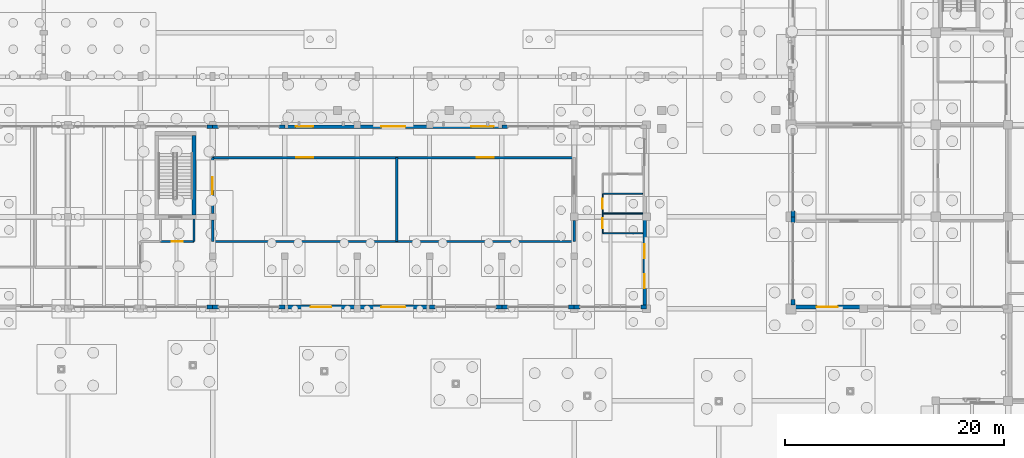
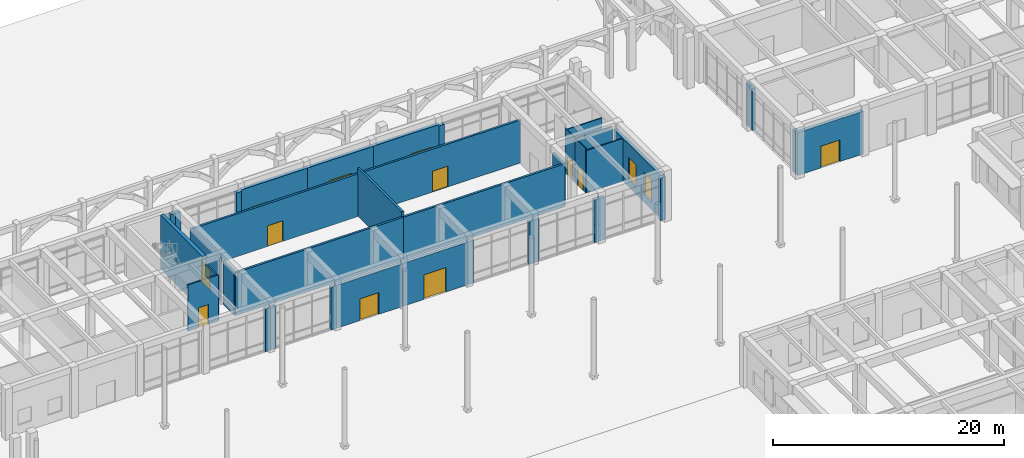
# One storey, part 57 of 82: 39 walls, 10 doors, 4 windows, 14 openings.
"""IFC4 building model written with IfcOpenShell, lengths in metres."""

from ifc_helpers import new_model, si_unit, direction, frame, frame_2d, origin, place, context, subcontext, project, spatial, rectangle, extrude, material, layer, layer_set, type_object, element, fill, save


model = new_model("IFC4")

# Units and contexts
model_context = context("Model", 3, precision=1e-05, world=origin(), true_north=direction((0.0, 1.0)))
body_context = subcontext(model_context, "Body", "Model", "MODEL_VIEW")
ifc_project = project(units=[si_unit("LENGTHUNIT", "METRE"), si_unit("AREAUNIT", "SQUARE_METRE"), si_unit("VOLUMEUNIT", "CUBIC_METRE"), si_unit("PLANEANGLEUNIT", "RADIAN"), si_unit("MASSUNIT", "GRAM", prefix="KILO")], contexts=[model_context])

# Site, building, storey
site_placement = place(None, origin())
site = spatial("IfcSite", under=ifc_project, at=site_placement, CompositionType="ELEMENT")
building_placement = place(site_placement, origin())
building = spatial("IfcBuilding", under=site, at=building_placement, Name="Kolvaren Faculty of Natural Sciences", CompositionType="ELEMENT")
storey_placement = place(building_placement, origin())
storey = spatial("IfcBuildingStorey", under=building, at=storey_placement, Name="L00", CompositionType="ELEMENT", Elevation=0.0)

# Wall, opening, door
ifc_material_1 = material(Name="Autoclaved aerated fire-rated masonry blockwork", Category="masonry")
ifc_layer_1 = layer(ifc_material_1, 0.2099609375)
ifc_layer_set_1 = layer_set([ifc_layer_1], Name="Autoclaved aerated fire-rated masonry blockwork")
wall_type_1 = type_object("IfcWallType", Name="AcousticLectureWall_210", PredefinedType="PARTITIONING", material=ifc_layer_set_1)
wall_1_placement = place(storey_placement, frame((66.199951171875, 81.199951171875, 0.0), z_axis=(0.0, 0.0, 1.0), x_axis=(1.0, 0.0, 0.0)))
wall_1 = element("IfcWall", 1, at=wall_1_placement, inside=storey, type_object=wall_type_1, Name="L00 interior partition PW-210", PredefinedType="PARTITIONING", context=body_context, shape_type="SweptSolid", body=[
    extrude(rectangle(XDim=16.800048828125, YDim=0.2099609375, at=frame_2d((8.39990234375, 0.0))), origin(), (0.0, 0.0, 1.0), 4.534912109375),
])
opening_1_placement = place(wall_1_placement, frame((7.625, 0.0, 0.0)))
opening_1 = element("IfcOpeningElement", 2, at=opening_1_placement, cuts=wall_1, Name="Opening FD30-D", PredefinedType="OPENING", context=body_context, shape_type="SweptSolid", body=[
    extrude(rectangle(XDim=1.550048828125, YDim=2.199951171875, at=frame_2d((0.77490234375, 1.10009765625))), frame((0.0, 0.114990234375, 0.0), z_axis=(0.0, -1.0, 0.0), x_axis=(1.0, 0.0, 0.0)), (0.0, 0.0, 1.0), 0.22998046875),
])
ifc_material_2 = material(Name="Fire-rated solid-core hardwood door leaf in steel frame", Category="steel")
door_type_1 = type_object("IfcDoorType", Name="AssemblyDoubleFireDoor_1550x2200", OperationType="DOUBLE_DOOR_SINGLE_SWING", PredefinedType="DOOR", material=ifc_material_2)
door_1_placement = place(opening_1_placement, origin())
door_1 = element("IfcDoor", 3, at=door_1_placement, inside=storey, type_object=door_type_1, Name="D-L00-0047", OperationType="DOUBLE_DOOR_SINGLE_SWING", OverallHeight=2.199951171875, OverallWidth=1.550048828125, PredefinedType="DOOR", context=body_context, shape_type="SweptSolid", body=[
    extrude(rectangle(XDim=1.550048828125, YDim=2.199951171875, at=frame_2d((0.77490234375, 1.10009765625))), frame((0.0, 0.02490234375, 0.0), z_axis=(0.0, -1.0, 0.0), x_axis=(1.0, 0.0, 0.0)), (0.0, 0.0, 1.0), 0.050048828125),
])
fill(opening_1, door_1)

# Walls
wall_2_placement = place(storey_placement, frame((83.0, 81.199951171875, 0.0), z_axis=(0.0, 0.0, 1.0), x_axis=(0.0, -1.0, 0.0)))
element("IfcWall", 4, at=wall_2_placement, inside=storey, type_object=wall_type_1, Name="L00 interior partition PW-210", PredefinedType="PARTITIONING", context=body_context, shape_type="SweptSolid", body=[
    extrude(rectangle(XDim=7.64990234375, YDim=0.2099609375, at=frame_2d((3.824951171875, 0.0))), origin(), (0.0, 0.0, 1.0), 5.094970703125),
])
wall_3_placement = place(storey_placement, frame((83.0, 73.550048828125, 0.0), z_axis=(0.0, 0.0, 1.0), x_axis=(-1.0, 0.0, 0.0)))
element("IfcWall", 5, at=wall_3_placement, inside=storey, type_object=wall_type_1, Name="L00 interior partition PW-210", PredefinedType="PARTITIONING", context=body_context, shape_type="SweptSolid", body=[
    extrude(rectangle(XDim=16.800048828125, YDim=0.2099609375, at=frame_2d((8.39990234375, 0.0))), origin(), (0.0, 0.0, 1.0), 4.534912109375),
])
wall_4_placement = place(storey_placement, frame((66.199951171875, 73.550048828125, 0.0), z_axis=(0.0, 0.0, 1.0), x_axis=(0.0, 1.0, 0.0)))
element("IfcWall", 6, at=wall_4_placement, inside=storey, type_object=wall_type_1, Name="L00 interior partition PW-210", PredefinedType="PARTITIONING", context=body_context, shape_type="SweptSolid", body=[
    extrude(rectangle(XDim=1.949951171875, YDim=0.2099609375, at=frame_2d((0.97509765625, 0.0))), origin(), (0.0, 0.0, 1.0), 4.534912109375),
])

# Wall, opening, door
wall_5_placement = place(storey_placement, frame((66.199951171875, 76.10009765625, 0.0), z_axis=(0.0, 0.0, 1.0), x_axis=(0.0, 1.0, 0.0)))
wall_5 = element("IfcWall", 7, at=wall_5_placement, inside=storey, type_object=wall_type_1, Name="L00 interior partition PW-210", PredefinedType="PARTITIONING", context=body_context, shape_type="SweptSolid", body=[
    extrude(rectangle(XDim=5.099853515625, YDim=0.2099609375, at=frame_2d((2.5498046875, 0.0))), origin(), (0.0, 0.0, 1.0), 4.534912109375),
])
opening_2_placement = place(wall_5_placement, frame((1.77490234375, 0.0, 0.0)))
opening_2 = element("IfcOpeningElement", 8, at=opening_2_placement, cuts=wall_5, Name="Opening FD30-D", PredefinedType="OPENING", context=body_context, shape_type="SweptSolid", body=[
    extrude(rectangle(XDim=1.550048828125, YDim=2.199951171875, at=frame_2d((0.77490234375, 1.10009765625))), frame((0.0, 0.114990234375, 0.0), z_axis=(0.0, -1.0, 0.0), x_axis=(1.0, 0.0, 0.0)), (0.0, 0.0, 1.0), 0.22998046875),
])
door_2_placement = place(opening_2_placement, origin())
door_2 = element("IfcDoor", 9, at=door_2_placement, inside=storey, type_object=door_type_1, Name="D-L00-0048", OperationType="DOUBLE_DOOR_SINGLE_SWING", OverallHeight=2.199951171875, OverallWidth=1.550048828125, PredefinedType="DOOR", context=body_context, shape_type="SweptSolid", body=[
    extrude(rectangle(XDim=1.550048828125, YDim=2.199951171875, at=frame_2d((0.77490234375, 1.10009765625))), frame((0.0, 0.02490234375, 0.0), z_axis=(0.0, -1.0, 0.0), x_axis=(1.0, 0.0, 0.0)), (0.0, 0.0, 1.0), 0.050048828125),
])
fill(opening_2, door_2)

wall_6_placement = place(storey_placement, frame((83.0, 81.199951171875, 0.0), z_axis=(0.0, 0.0, 1.0), x_axis=(1.0, 0.0, 0.0)))
wall_6 = element("IfcWall", 10, at=wall_6_placement, inside=storey, type_object=wall_type_1, Name="L00 interior partition PW-210", PredefinedType="PARTITIONING", context=body_context, shape_type="SweptSolid", body=[
    extrude(rectangle(XDim=16.199951171875, YDim=0.2099609375, at=frame_2d((8.10009765625, 0.0))), origin(), (0.0, 0.0, 1.0), 4.534912109375),
])
opening_3_placement = place(wall_6_placement, frame((7.324951171875, 0.0, 0.0)))
opening_3 = element("IfcOpeningElement", 11, at=opening_3_placement, cuts=wall_6, Name="Opening FD30-D", PredefinedType="OPENING", context=body_context, shape_type="SweptSolid", body=[
    extrude(rectangle(XDim=1.550048828125, YDim=2.199951171875, at=frame_2d((0.77490234375, 1.10009765625))), frame((0.0, 0.114990234375, 0.0), z_axis=(0.0, -1.0, 0.0), x_axis=(1.0, 0.0, 0.0)), (0.0, 0.0, 1.0), 0.22998046875),
])
door_3_placement = place(opening_3_placement, origin())
door_3 = element("IfcDoor", 12, at=door_3_placement, inside=storey, type_object=door_type_1, Name="D-L00-0049", OperationType="DOUBLE_DOOR_SINGLE_SWING", OverallHeight=2.199951171875, OverallWidth=1.550048828125, PredefinedType="DOOR", context=body_context, shape_type="SweptSolid", body=[
    extrude(rectangle(XDim=1.550048828125, YDim=2.199951171875, at=frame_2d((0.77490234375, 1.10009765625))), frame((0.0, 0.02490234375, 0.0), z_axis=(0.0, -1.0, 0.0), x_axis=(1.0, 0.0, 0.0)), (0.0, 0.0, 1.0), 0.050048828125),
])
fill(opening_3, door_3)

# Walls
wall_7_placement = place(storey_placement, frame((99.199951171875, 75.449951171875, 0.0), z_axis=(0.0, 0.0, 1.0), x_axis=(0.0, -1.0, 0.0)))
element("IfcWall", 13, at=wall_7_placement, inside=storey, type_object=wall_type_1, Name="L00 interior partition PW-210", PredefinedType="PARTITIONING", context=body_context, shape_type="SweptSolid", body=[
    extrude(rectangle(XDim=1.89990234375, YDim=0.2099609375, at=frame_2d((0.949951171875, 0.0))), origin(), (0.0, 0.0, 1.0), 4.534912109375),
])
wall_8_placement = place(storey_placement, frame((99.199951171875, 73.550048828125, 0.0), z_axis=(0.0, 0.0, 1.0), x_axis=(-1.0, 0.0, 0.0)))
element("IfcWall", 14, at=wall_8_placement, inside=storey, type_object=wall_type_1, Name="L00 interior partition PW-210", PredefinedType="PARTITIONING", context=body_context, shape_type="SweptSolid", body=[
    extrude(rectangle(XDim=16.199951171875, YDim=0.2099609375, at=frame_2d((8.10009765625, 0.0))), origin(), (0.0, 0.0, 1.0), 4.534912109375),
])
ifc_material_3 = material(Name="Concrete C40/50", Category="concrete")
ifc_layer_2 = layer(ifc_material_3, 0.35009765625)
ifc_layer_set_2 = layer_set([ifc_layer_2], Name="Concrete C40/50")
wall_type_2 = type_object("IfcWallType", Name="CoreShearWall_350", PredefinedType="SHEAR", material=ifc_layer_set_2)
wall_9_placement = place(storey_placement, frame((64.5, 75.949951171875, -0.320068359375), z_axis=(0.0, 0.0, 1.0), x_axis=(0.0, 1.0, 0.0)))
element("IfcWall", 15, at=wall_9_placement, inside=storey, type_object=wall_type_2, Name="L00 CORE-C6 stair shear wall E", PredefinedType="SHEAR", context=body_context, shape_type="SweptSolid", body=[
    extrude(rectangle(XDim=7.275146484375, YDim=0.35009765625, at=frame_2d((3.6376953125, 0.0))), origin(), (0.0, 0.0, 1.0), 5.719970703125),
])
ifc_material_4 = material(Name="Sandstone-faced insulated cavity masonry", Category="masonry")
ifc_layer_3 = layer(ifc_material_4, 0.340087890625)
ifc_layer_set_3 = layer_set([ifc_layer_3], Name="Sandstone-faced insulated cavity masonry")
wall_type_3 = type_object("IfcWallType", Name="ExteriorCavityWall_340", PredefinedType="STANDARD", material=ifc_layer_set_3)
for number, where, z_axis, x_axis, name in (
    (16, (105.800048828125, 67.570068359375, 0.0), (0.0, 0.0, 1.0), (-1.0, 0.0, 0.0), "L00 curtain-wall pier stub 30"),
    (17, (99.719970703125, 67.570068359375, 0.0), (0.0, 0.0, 1.0), (-1.0, 0.0, 0.0), "L00 curtain-wall pier stub 31"),
    (18, (99.199951171875, 67.570068359375, 0.0), (0.0, 0.0, 1.0), (-1.0, 0.0, 0.0), "L00 curtain-wall pier stub 32"),
    (19, (93.1201171875, 67.570068359375, 0.0), (0.0, 0.0, 1.0), (-1.0, 0.0, 0.0), "L00 curtain-wall pier stub 33"),
    (20, (92.60009765625, 67.570068359375, 0.0), (0.0, 0.0, 1.0), (-1.0, 0.0, 0.0), "L00 curtain-wall pier stub 34"),
    (21, (86.52001953125, 67.570068359375, 0.0), (0.0, 0.0, 1.0), (-1.0, 0.0, 0.0), "L00 curtain-wall pier stub 35"),
):
    element("IfcWall", number, at=place(storey_placement, frame(where, z_axis=z_axis, x_axis=x_axis)), inside=storey, type_object=wall_type_3, Name=name, PredefinedType="STANDARD", context=body_context, shape_type="SweptSolid", body=[
        extrude(rectangle(XDim=0.52001953125, YDim=0.340087890625, at=frame_2d((0.260009765625, 0.0))), origin(), (0.0, 0.0, 1.0), 4.534912109375),
    ])

# Wall, opening, door
wall_10_placement = place(storey_placement, frame((86.0, 67.570068359375, 0.0), z_axis=(0.0, 0.0, 1.0), x_axis=(-1.0, 0.0, 0.0)))
wall_10 = element("IfcWall", 22, at=wall_10_placement, inside=storey, type_object=wall_type_3, Name="L00 exterior masonry wall EW-340 (36)", PredefinedType="STANDARD", context=body_context, shape_type="SweptSolid", body=[
    extrude(rectangle(XDim=6.60009765625, YDim=0.340087890625, at=frame_2d((3.300048828125, 0.0))), origin(), (0.0, 0.0, 1.0), 4.534912109375),
])
opening_4_placement = place(wall_10_placement, frame((2.199951171875, 0.0, 0.0)))
opening_4 = element("IfcOpeningElement", 23, at=opening_4_placement, cuts=wall_10, Name="Opening ED-01", PredefinedType="OPENING", context=body_context, shape_type="SweptSolid", body=[
    extrude(rectangle(XDim=2.199951171875, YDim=2.60009765625, at=frame_2d((1.10009765625, 1.300048828125))), frame((0.0, 0.179931640625, 0.0), z_axis=(0.0, -1.0, 0.0), x_axis=(1.0, 0.0, 0.0)), (0.0, 0.0, 1.0), 0.360107421875),
])
ifc_material_5 = material(Name="Thermally broken anodised aluminium framing", Category="aluminium")
door_type_2 = type_object("IfcDoorType", Name="MainEntranceDoubleDoor_2200x2600", OperationType="DOUBLE_DOOR_SINGLE_SWING", PredefinedType="DOOR", material=ifc_material_5)
door_4_placement = place(opening_4_placement, origin())
door_4 = element("IfcDoor", 24, at=door_4_placement, inside=storey, type_object=door_type_2, Name="D-L00-EX-06", OperationType="DOUBLE_DOOR_SINGLE_SWING", OverallHeight=2.60009765625, OverallWidth=2.199951171875, PredefinedType="DOOR", context=body_context, shape_type="SweptSolid", body=[
    extrude(rectangle(XDim=2.199951171875, YDim=2.60009765625, at=frame_2d((1.10009765625, 1.300048828125))), frame((0.0, 0.02490234375, 0.0), z_axis=(0.0, -1.0, 0.0), x_axis=(1.0, 0.0, 0.0)), (0.0, 0.0, 1.0), 0.050048828125),
])
fill(opening_4, door_4)

wall_11_placement = place(storey_placement, frame((79.39990234375, 67.570068359375, 0.0), z_axis=(0.0, 0.0, 1.0), x_axis=(-1.0, 0.0, 0.0)))
wall_11 = element("IfcWall", 25, at=wall_11_placement, inside=storey, type_object=wall_type_3, Name="L00 exterior masonry wall EW-340 (37)", PredefinedType="STANDARD", context=body_context, shape_type="SweptSolid", body=[
    extrude(rectangle(XDim=6.599853515625, YDim=0.340087890625, at=frame_2d((3.2998046875, 0.0))), origin(), (0.0, 0.0, 1.0), 4.534912109375),
])
opening_5_placement = place(wall_11_placement, frame((2.35009765625, 0.0, 0.0)))
opening_5 = element("IfcOpeningElement", 26, at=opening_5_placement, cuts=wall_11, Name="Opening ED-02", PredefinedType="OPENING", context=body_context, shape_type="SweptSolid", body=[
    extrude(rectangle(XDim=1.89990234375, YDim=2.300048828125, at=frame_2d((0.949951171875, 1.14990234375))), frame((0.0, 0.179931640625, 0.0), z_axis=(0.0, -1.0, 0.0), x_axis=(1.0, 0.0, 0.0)), (0.0, 0.0, 1.0), 0.360107421875),
])
door_type_3 = type_object("IfcDoorType", Name="PlazaExitDoubleDoor_1900x2300", OperationType="DOUBLE_DOOR_SINGLE_SWING", PredefinedType="DOOR", material=ifc_material_5)
door_5_placement = place(opening_5_placement, origin())
door_5 = element("IfcDoor", 27, at=door_5_placement, inside=storey, type_object=door_type_3, Name="D-L00-EX-07", OperationType="DOUBLE_DOOR_SINGLE_SWING", OverallHeight=2.300048828125, OverallWidth=1.89990234375, PredefinedType="DOOR", context=body_context, shape_type="SweptSolid", body=[
    extrude(rectangle(XDim=1.89990234375, YDim=2.300048828125, at=frame_2d((0.949951171875, 1.14990234375))), frame((0.0, 0.02490234375, 0.0), z_axis=(0.0, -1.0, 0.0), x_axis=(1.0, 0.0, 0.0)), (0.0, 0.0, 1.0), 0.050048828125),
])
fill(opening_5, door_5)

# Walls
for number, where, z_axis, x_axis, name in (
    (28, (72.800048828125, 67.570068359375, 0.0), (0.0, 0.0, 1.0), (-1.0, 0.0, 0.0), "L00 curtain-wall pier stub 38"),
    (29, (66.719970703125, 67.570068359375, 0.0), (0.0, 0.0, 1.0), (-1.0, 0.0, 0.0), "L00 curtain-wall pier stub 39"),
    (30, (66.199951171875, 67.570068359375, 0.0), (0.0, 0.0, 1.0), (-1.0, 0.0, 0.0), "L00 curtain-wall pier stub 40"),
    (31, (65.679931640625, 84.030029296875, 0.0), (0.0, 0.0, 1.0), (1.0, 0.0, 0.0), "L00 curtain-wall pier stub 75"),
    (32, (66.199951171875, 84.030029296875, 0.0), (0.0, 0.0, 1.0), (1.0, 0.0, 0.0), "L00 curtain-wall pier stub 76"),
    (33, (72.280029296875, 84.030029296875, 0.0), (0.0, 0.0, 1.0), (1.0, 0.0, 0.0), "L00 curtain-wall pier stub 77"),
):
    element("IfcWall", number, at=place(storey_placement, frame(where, z_axis=z_axis, x_axis=x_axis)), inside=storey, type_object=wall_type_3, Name=name, PredefinedType="STANDARD", context=body_context, shape_type="SweptSolid", body=[
        extrude(rectangle(XDim=0.52001953125, YDim=0.340087890625, at=frame_2d((0.260009765625, 0.0))), origin(), (0.0, 0.0, 1.0), 4.534912109375),
    ])

# Wall, opening, window
wall_12_placement = place(storey_placement, frame((72.800048828125, 84.030029296875, 0.0), z_axis=(0.0, 0.0, 1.0), x_axis=(1.0, 0.0, 0.0)))
wall_12 = element("IfcWall", 34, at=wall_12_placement, inside=storey, type_object=wall_type_3, Name="L00 exterior masonry wall EW-340 (78)", PredefinedType="STANDARD", context=body_context, shape_type="SweptSolid", body=[
    extrude(rectangle(XDim=6.599853515625, YDim=0.340087890625, at=frame_2d((3.2998046875, 0.0))), origin(), (0.0, 0.0, 1.0), 4.68505859375),
])
opening_6_placement = place(wall_12_placement, frame((0.98193359375, 0.0, 0.89990234375)))
opening_6 = element("IfcOpeningElement", 35, at=opening_6_placement, cuts=wall_12, Name="Opening WIN-15", PredefinedType="OPENING", context=body_context, shape_type="SweptSolid", body=[
    extrude(rectangle(XDim=1.60009765625, YDim=1.60009765625, at=frame_2d((0.800048828125, 0.800048828125))), frame((0.0, 0.179931640625, 0.0), z_axis=(0.0, -1.0, 0.0), x_axis=(1.0, 0.0, 0.0)), (0.0, 0.0, 1.0), 0.360107421875),
])
ifc_material_6 = material(Name="Double low-E solar control insulated glazing", Category="glass")
window_type_1 = type_object("IfcWindowType", Name="AluWindow_WIN15_1600x1600", PartitioningType="SINGLE_PANEL", PredefinedType="WINDOW", material=ifc_material_6)
window_1_placement = place(opening_6_placement, origin())
window_1 = element("IfcWindow", 36, at=window_1_placement, inside=storey, type_object=window_type_1, Name="WIN-L00-0075", OverallHeight=1.60009765625, OverallWidth=1.60009765625, PartitioningType="SINGLE_PANEL", PredefinedType="WINDOW", context=body_context, shape_type="SweptSolid", body=[
    extrude(rectangle(XDim=1.60009765625, YDim=1.60009765625, at=frame_2d((0.800048828125, 0.800048828125))), frame((0.0, 0.030029296875, 0.0), z_axis=(0.0, -1.0, 0.0), x_axis=(1.0, 0.0, 0.0)), (0.0, 0.0, 1.0), 0.06005859375),
])
fill(opening_6, window_1)

# Wall, opening, door
wall_13_placement = place(storey_placement, frame((79.39990234375, 84.030029296875, 0.0), z_axis=(0.0, 0.0, 1.0), x_axis=(1.0, 0.0, 0.0)))
wall_13 = element("IfcWall", 37, at=wall_13_placement, inside=storey, type_object=wall_type_3, Name="L00 exterior masonry wall EW-340 (79)", PredefinedType="STANDARD", context=body_context, shape_type="SweptSolid", body=[
    extrude(rectangle(XDim=6.60009765625, YDim=0.340087890625, at=frame_2d((3.300048828125, 0.0))), origin(), (0.0, 0.0, 1.0), 4.68505859375),
])
opening_7_placement = place(wall_13_placement, frame((2.199951171875, 0.0, 0.0)))
opening_7 = element("IfcOpeningElement", 38, at=opening_7_placement, cuts=wall_13, Name="Opening ED-01", PredefinedType="OPENING", context=body_context, shape_type="SweptSolid", body=[
    extrude(rectangle(XDim=2.199951171875, YDim=2.60009765625, at=frame_2d((1.10009765625, 1.300048828125))), frame((0.0, 0.179931640625, 0.0), z_axis=(0.0, -1.0, 0.0), x_axis=(1.0, 0.0, 0.0)), (0.0, 0.0, 1.0), 0.360107421875),
])
door_6_placement = place(opening_7_placement, origin())
door_6 = element("IfcDoor", 39, at=door_6_placement, inside=storey, type_object=door_type_2, Name="D-L00-EX-05", OperationType="DOUBLE_DOOR_SINGLE_SWING", OverallHeight=2.60009765625, OverallWidth=2.199951171875, PredefinedType="DOOR", context=body_context, shape_type="SweptSolid", body=[
    extrude(rectangle(XDim=2.199951171875, YDim=2.60009765625, at=frame_2d((1.10009765625, 1.300048828125))), frame((0.0, 0.02490234375, 0.0), z_axis=(0.0, -1.0, 0.0), x_axis=(1.0, 0.0, 0.0)), (0.0, 0.0, 1.0), 0.050048828125),
])
fill(opening_7, door_6)

# Wall, opening, window
wall_14_placement = place(storey_placement, frame((86.0, 84.030029296875, 0.0), z_axis=(0.0, 0.0, 1.0), x_axis=(1.0, 0.0, 0.0)))
wall_14 = element("IfcWall", 40, at=wall_14_placement, inside=storey, type_object=wall_type_3, Name="L00 exterior masonry wall EW-340 (80)", PredefinedType="STANDARD", context=body_context, shape_type="SweptSolid", body=[
    extrude(rectangle(XDim=6.60009765625, YDim=0.340087890625, at=frame_2d((3.300048828125, 0.0))), origin(), (0.0, 0.0, 1.0), 4.68505859375),
])
opening_8_placement = place(wall_14_placement, frame((3.79296875, 0.0, 0.89990234375)))
opening_8 = element("IfcOpeningElement", 41, at=opening_8_placement, cuts=wall_14, Name="Opening WIN-17", PredefinedType="OPENING", context=body_context, shape_type="SweptSolid", body=[
    extrude(rectangle(XDim=2.050048828125, YDim=1.64990234375, at=frame_2d((1.02490234375, 0.824951171875))), frame((0.0, 0.179931640625, 0.0), z_axis=(0.0, -1.0, 0.0), x_axis=(1.0, 0.0, 0.0)), (0.0, 0.0, 1.0), 0.360107421875),
])
window_type_2 = type_object("IfcWindowType", Name="AluWindow_WIN17_2050x1650", PartitioningType="SINGLE_PANEL", PredefinedType="WINDOW", material=ifc_material_6)
window_2_placement = place(opening_8_placement, origin())
window_2 = element("IfcWindow", 42, at=window_2_placement, inside=storey, type_object=window_type_2, Name="WIN-L00-0076", OverallHeight=1.64990234375, OverallWidth=2.050048828125, PartitioningType="SINGLE_PANEL", PredefinedType="WINDOW", context=body_context, shape_type="SweptSolid", body=[
    extrude(rectangle(XDim=2.050048828125, YDim=1.64990234375, at=frame_2d((1.02490234375, 0.824951171875))), frame((0.0, 0.030029296875, 0.0), z_axis=(0.0, -1.0, 0.0), x_axis=(1.0, 0.0, 0.0)), (0.0, 0.0, 1.0), 0.06005859375),
])
fill(opening_8, window_2)

# Wall
wall_15_placement = place(storey_placement, frame((92.60009765625, 84.030029296875, 0.0), z_axis=(0.0, 0.0, 1.0), x_axis=(1.0, 0.0, 0.0)))
element("IfcWall", 43, at=wall_15_placement, inside=storey, type_object=wall_type_3, Name="L00 curtain-wall pier stub 81", PredefinedType="STANDARD", context=body_context, shape_type="SweptSolid", body=[
    extrude(rectangle(XDim=0.52001953125, YDim=0.340087890625, at=frame_2d((0.260009765625, 0.0))), origin(), (0.0, 0.0, 1.0), 4.534912109375),
])

# Wall, openings, windows
wall_16_placement = place(storey_placement, frame((105.6298828125, 75.800048828125, 0.0), z_axis=(0.0, 0.0, 1.0), x_axis=(0.0, -1.0, 0.0)))
wall_16 = element("IfcWall", 44, at=wall_16_placement, inside=storey, type_object=wall_type_3, Name="L00 exterior masonry wall EW-340 (86)", PredefinedType="STANDARD", context=body_context, shape_type="SweptSolid", body=[
    extrude(rectangle(XDim=8.06005859375, YDim=0.340087890625, at=frame_2d((4.030029296875, 0.0))), origin(), (0.0, 0.0, 1.0), 4.534912109375),
])
opening_9_placement = place(wall_16_placement, frame((2.489990234375, 0.0, 0.75)))
opening_9 = element("IfcOpeningElement", 45, at=opening_9_placement, cuts=wall_16, Name="Opening WIN-19", PredefinedType="OPENING", context=body_context, shape_type="SweptSolid", body=[
    extrude(rectangle(XDim=1.300048828125, YDim=2.39990234375, at=frame_2d((0.64990234375, 1.199951171875))), frame((0.0, 0.179931640625, 0.0), z_axis=(0.0, -1.0, 0.0), x_axis=(1.0, 0.0, 0.0)), (0.0, 0.0, 1.0), 0.360107421875),
])
opening_10_placement = place(wall_16_placement, frame((5.23388671875, 0.0, 0.75)))
opening_10 = element("IfcOpeningElement", 46, at=opening_10_placement, cuts=wall_16, Name="Opening WIN-19", PredefinedType="OPENING", context=body_context, shape_type="SweptSolid", body=[
    extrude(rectangle(XDim=1.300048828125, YDim=2.39990234375, at=frame_2d((0.64990234375, 1.199951171875))), frame((0.0, 0.179931640625, 0.0), z_axis=(0.0, -1.0, 0.0), x_axis=(1.0, 0.0, 0.0)), (0.0, 0.0, 1.0), 0.360107421875),
])
window_type_3 = type_object("IfcWindowType", Name="AluWindow_WIN19_1300x2400", PartitioningType="SINGLE_PANEL", PredefinedType="WINDOW", material=ifc_material_6)
window_3_placement = place(opening_9_placement, origin())
window_3 = element("IfcWindow", 47, at=window_3_placement, inside=storey, type_object=window_type_3, Name="WIN-L00-0078", OverallHeight=2.39990234375, OverallWidth=1.300048828125, PartitioningType="SINGLE_PANEL", PredefinedType="WINDOW", context=body_context, shape_type="SweptSolid", body=[
    extrude(rectangle(XDim=1.300048828125, YDim=2.39990234375, at=frame_2d((0.64990234375, 1.199951171875))), frame((0.0, 0.030029296875, 0.0), z_axis=(0.0, -1.0, 0.0), x_axis=(1.0, 0.0, 0.0)), (0.0, 0.0, 1.0), 0.06005859375),
])
fill(opening_9, window_3)
window_4_placement = place(opening_10_placement, origin())
window_4 = element("IfcWindow", 48, at=window_4_placement, inside=storey, type_object=window_type_3, Name="WIN-L00-0079", OverallHeight=2.39990234375, OverallWidth=1.300048828125, PartitioningType="SINGLE_PANEL", PredefinedType="WINDOW", context=body_context, shape_type="SweptSolid", body=[
    extrude(rectangle(XDim=1.300048828125, YDim=2.39990234375, at=frame_2d((0.64990234375, 1.199951171875))), frame((0.0, 0.030029296875, 0.0), z_axis=(0.0, -1.0, 0.0), x_axis=(1.0, 0.0, 0.0)), (0.0, 0.0, 1.0), 0.06005859375),
])
fill(opening_10, window_4)

# Wall, opening, door
wall_17_placement = place(storey_placement, frame((125.60009765625, 67.570068359375, 0.0), z_axis=(0.0, 0.0, 1.0), x_axis=(-1.0, 0.0, 0.0)))
wall_17 = element("IfcWall", 49, at=wall_17_placement, inside=storey, type_object=wall_type_3, Name="L00 exterior masonry wall EW-340 (94)", PredefinedType="STANDARD", context=body_context, shape_type="SweptSolid", body=[
    extrude(rectangle(XDim=6.60009765625, YDim=0.340087890625, at=frame_2d((3.300048828125, 0.0))), origin(), (0.0, 0.0, 1.0), 4.534912109375),
])
opening_11_placement = place(wall_17_placement, frame((2.35009765625, 0.0, 0.0)))
opening_11 = element("IfcOpeningElement", 50, at=opening_11_placement, cuts=wall_17, Name="Opening ED-02", PredefinedType="OPENING", context=body_context, shape_type="SweptSolid", body=[
    extrude(rectangle(XDim=1.89990234375, YDim=2.300048828125, at=frame_2d((0.949951171875, 1.14990234375))), frame((0.0, 0.179931640625, 0.0), z_axis=(0.0, -1.0, 0.0), x_axis=(1.0, 0.0, 0.0)), (0.0, 0.0, 1.0), 0.360107421875),
])
door_7_placement = place(opening_11_placement, origin())
door_7 = element("IfcDoor", 51, at=door_7_placement, inside=storey, type_object=door_type_3, Name="D-L00-EX-09", OperationType="DOUBLE_DOOR_SINGLE_SWING", OverallHeight=2.300048828125, OverallWidth=1.89990234375, PredefinedType="DOOR", context=body_context, shape_type="SweptSolid", body=[
    extrude(rectangle(XDim=1.89990234375, YDim=2.300048828125, at=frame_2d((0.949951171875, 1.14990234375))), frame((0.0, 0.02490234375, 0.0), z_axis=(0.0, -1.0, 0.0), x_axis=(1.0, 0.0, 0.0)), (0.0, 0.0, 1.0), 0.050048828125),
])
fill(opening_11, door_7)

# Walls
for number, where, z_axis, x_axis, name in (
    (52, (119.169921875, 67.739990234375, 0.0), (0.0, 0.0, 1.0), (0.0, 1.0, 0.0), "L00 curtain-wall pier stub 95"),
    (53, (119.169921875, 75.280029296875, 0.0), (0.0, 0.0, 1.0), (0.0, 1.0, 0.0), "L00 curtain-wall pier stub 96"),
    (54, (119.169921875, 75.800048828125, 0.0), (0.0, 0.0, 1.0), (0.0, 1.0, 0.0), "L00 curtain-wall pier stub 97"),
):
    element("IfcWall", number, at=place(storey_placement, frame(where, z_axis=z_axis, x_axis=x_axis)), inside=storey, type_object=wall_type_3, Name=name, PredefinedType="STANDARD", context=body_context, shape_type="SweptSolid", body=[
        extrude(rectangle(XDim=0.52001953125, YDim=0.340087890625, at=frame_2d((0.260009765625, 0.0))), origin(), (0.0, 0.0, 1.0), 4.43505859375),
    ])
ifc_material_7 = material(Name="Double fire-rated gypsum board on 100 mm steel stud", Category="steel")
ifc_layer_4 = layer(ifc_material_7, 0.14990234375)
ifc_layer_set_4 = layer_set([ifc_layer_4], Name="Double fire-rated gypsum board on 100 mm steel stud")
wall_type_4 = type_object("IfcWallType", Name="RatedCorridorWall_150", PredefinedType="PARTITIONING", material=ifc_layer_set_4)
wall_18_placement = place(storey_placement, frame((64.5, 75.597900390625, 0.0), z_axis=(0.0, 0.0, 1.0), x_axis=(0.0, -1.0, 0.0)))
element("IfcWall", 55, at=wall_18_placement, inside=storey, type_object=wall_type_4, Name="L00 interior partition LW-150", PredefinedType="PARTITIONING", context=body_context, shape_type="SweptSolid", body=[
    extrude(rectangle(XDim=2.0478515625, YDim=0.14990234375, at=frame_2d((1.02392578125, 0.0))), origin(), (0.0, 0.0, 1.0), 4.735107421875),
])

# Wall, opening, door
wall_19_placement = place(storey_placement, frame((64.5, 73.550048828125, 0.0), z_axis=(0.0, 0.0, 1.0), x_axis=(-1.0, 0.0, 0.0)))
wall_19 = element("IfcWall", 56, at=wall_19_placement, inside=storey, type_object=wall_type_4, Name="L00 interior partition LW-150", PredefinedType="PARTITIONING", context=body_context, shape_type="SweptSolid", body=[
    extrude(rectangle(XDim=3.050048828125, YDim=0.14990234375, at=frame_2d((1.52490234375, 0.0))), origin(), (0.0, 0.0, 1.0), 4.885009765625),
])
opening_12_placement = place(wall_19_placement, frame((1.02490234375, 0.0, 0.0)))
opening_12 = element("IfcOpeningElement", 57, at=opening_12_placement, cuts=wall_19, Name="Opening FD30", PredefinedType="OPENING", context=body_context, shape_type="SweptSolid", body=[
    extrude(rectangle(XDim=1.0, YDim=2.10009765625, at=frame_2d((0.5, 1.050048828125))), frame((0.0, 0.0849609375, 0.0), z_axis=(0.0, -1.0, 0.0), x_axis=(1.0, 0.0, 0.0)), (0.0, 0.0, 1.0), 0.169921875),
])
door_type_4 = type_object("IfcDoorType", Name="CorridorFireDoor_1000x2100", OperationType="NOTDEFINED", PredefinedType="DOOR", material=ifc_material_2)
door_8_placement = place(opening_12_placement, origin())
door_8 = element("IfcDoor", 58, at=door_8_placement, inside=storey, type_object=door_type_4, Name="D-L00-0033", OperationType="SINGLE_SWING_RIGHT", OverallHeight=2.10009765625, OverallWidth=1.0, PredefinedType="DOOR", context=body_context, shape_type="SweptSolid", body=[
    extrude(rectangle(XDim=1.0, YDim=2.10009765625, at=frame_2d((0.5, 1.050048828125))), frame((0.0, 0.02490234375, 0.0), z_axis=(0.0, -1.0, 0.0), x_axis=(1.0, 0.0, 0.0)), (0.0, 0.0, 1.0), 0.050048828125),
])
fill(opening_12, door_8)

# Walls
ifc_material_8 = material(Name="Acoustic mineral-wool insulated gypsum partition")
ifc_layer_5 = layer(ifc_material_8, 0.10498046875)
ifc_layer_set_5 = layer_set([ifc_layer_5], Name="Acoustic mineral-wool insulated gypsum partition")
wall_type_5 = type_object("IfcWallType", Name="WetRoomPartition_105", PredefinedType="PARTITIONING", material=ifc_layer_set_5)
wall_20_placement = place(storey_placement, frame((101.800048828125, 76.10009765625, 0.0), z_axis=(0.0, 0.0, 1.0), x_axis=(1.0, 0.0, 0.0)))
element("IfcWall", 59, at=wall_20_placement, inside=storey, type_object=wall_type_5, Name="L00 interior partition PW-105", PredefinedType="PARTITIONING", context=body_context, shape_type="SweptSolid", body=[
    extrude(rectangle(XDim=3.64990234375, YDim=0.10498046875, at=frame_2d((1.824951171875, 0.0))), origin(), (0.0, 0.0, 1.0), 4.735107421875),
])
wall_21_placement = place(storey_placement, frame((105.4580078125, 74.300048828125, 0.0), z_axis=(0.0, 0.0, 1.0), x_axis=(-1.0, 0.0, 0.0)))
element("IfcWall", 60, at=wall_21_placement, inside=storey, type_object=wall_type_5, Name="L00 interior partition PW-105", PredefinedType="PARTITIONING", context=body_context, shape_type="SweptSolid", body=[
    extrude(rectangle(XDim=3.657958984375, YDim=0.10498046875, at=frame_2d((1.8291015625, 0.0))), origin(), (0.0, 0.0, 1.0), 4.534912109375),
])

# Wall, opening, door
wall_22_placement = place(storey_placement, frame((101.800048828125, 74.300048828125, 0.0), z_axis=(0.0, 0.0, 1.0), x_axis=(0.0, 1.0, 0.0)))
wall_22 = element("IfcWall", 61, at=wall_22_placement, inside=storey, type_object=wall_type_5, Name="L00 interior partition PW-105", PredefinedType="PARTITIONING", context=body_context, shape_type="SweptSolid", body=[
    extrude(rectangle(XDim=1.800048828125, YDim=0.10498046875, at=frame_2d((0.89990234375, 0.0))), origin(), (0.0, 0.0, 1.0), 4.735107421875),
])
opening_13_placement = place(wall_22_placement, frame((0.449951171875, 0.0, 0.0)))
opening_13 = element("IfcOpeningElement", 62, at=opening_13_placement, cuts=wall_22, Name="Opening ID-01", PredefinedType="OPENING", context=body_context, shape_type="SweptSolid", body=[
    extrude(rectangle(XDim=0.89990234375, YDim=2.02001953125, at=frame_2d((0.449951171875, 1.010009765625))), frame((0.0, 0.0625, 0.0), z_axis=(0.0, -1.0, 0.0), x_axis=(1.0, 0.0, 0.0)), (0.0, 0.0, 1.0), 0.125),
])
ifc_material_9 = material(Name="Solid-core hardwood veneer door leaf in steel frame", Category="steel")
door_type_5 = type_object("IfcDoorType", Name="InteriorRoomDoor_900x2020", OperationType="NOTDEFINED", PredefinedType="DOOR", material=ifc_material_9)
door_9_placement = place(opening_13_placement, origin())
door_9 = element("IfcDoor", 63, at=door_9_placement, inside=storey, type_object=door_type_5, Name="D-L00-0054", OperationType="SINGLE_SWING_RIGHT", OverallHeight=2.02001953125, OverallWidth=0.89990234375, PredefinedType="DOOR", context=body_context, shape_type="SweptSolid", body=[
    extrude(rectangle(XDim=0.89990234375, YDim=2.02001953125, at=frame_2d((0.449951171875, 1.010009765625))), frame((0.0, 0.02490234375, 0.0), z_axis=(0.0, -1.0, 0.0), x_axis=(1.0, 0.0, 0.0)), (0.0, 0.0, 1.0), 0.050048828125),
])
fill(opening_13, door_9)

# Wall
wall_23_placement = place(storey_placement, frame((101.800048828125, 77.89990234375, 0.0), z_axis=(0.0, 0.0, 1.0), x_axis=(1.0, 0.0, 0.0)))
element("IfcWall", 64, at=wall_23_placement, inside=storey, type_object=wall_type_5, Name="L00 interior partition PW-105", PredefinedType="PARTITIONING", context=body_context, shape_type="SweptSolid", body=[
    extrude(rectangle(XDim=3.657958984375, YDim=0.10498046875, at=frame_2d((1.8291015625, 0.0))), origin(), (0.0, 0.0, 1.0), 4.534912109375),
])

# Wall, opening, door
wall_24_placement = place(storey_placement, frame((101.800048828125, 76.10009765625, 0.0), z_axis=(0.0, 0.0, 1.0), x_axis=(0.0, 1.0, 0.0)))
wall_24 = element("IfcWall", 65, at=wall_24_placement, inside=storey, type_object=wall_type_5, Name="L00 interior partition PW-105", PredefinedType="PARTITIONING", context=body_context, shape_type="SweptSolid", body=[
    extrude(rectangle(XDim=1.7998046875, YDim=0.10498046875, at=frame_2d((0.89990234375, 0.0))), origin(), (0.0, 0.0, 1.0), 4.735107421875),
])
opening_14_placement = place(wall_24_placement, frame((0.449951171875, 0.0, 0.0)))
opening_14 = element("IfcOpeningElement", 66, at=opening_14_placement, cuts=wall_24, Name="Opening ID-01", PredefinedType="OPENING", context=body_context, shape_type="SweptSolid", body=[
    extrude(rectangle(XDim=0.89990234375, YDim=2.02001953125, at=frame_2d((0.449951171875, 1.010009765625))), frame((0.0, 0.0625, 0.0), z_axis=(0.0, -1.0, 0.0), x_axis=(1.0, 0.0, 0.0)), (0.0, 0.0, 1.0), 0.125),
])
door_10_placement = place(opening_14_placement, origin())
door_10 = element("IfcDoor", 67, at=door_10_placement, inside=storey, type_object=door_type_5, Name="D-L00-0055", OperationType="SINGLE_SWING_LEFT", OverallHeight=2.02001953125, OverallWidth=0.89990234375, PredefinedType="DOOR", context=body_context, shape_type="SweptSolid", body=[
    extrude(rectangle(XDim=0.89990234375, YDim=2.02001953125, at=frame_2d((0.449951171875, 1.010009765625))), frame((0.0, 0.02490234375, 0.0), z_axis=(0.0, -1.0, 0.0), x_axis=(1.0, 0.0, 0.0)), (0.0, 0.0, 1.0), 0.050048828125),
])
fill(opening_14, door_10)

save(model, "model.ifc")
